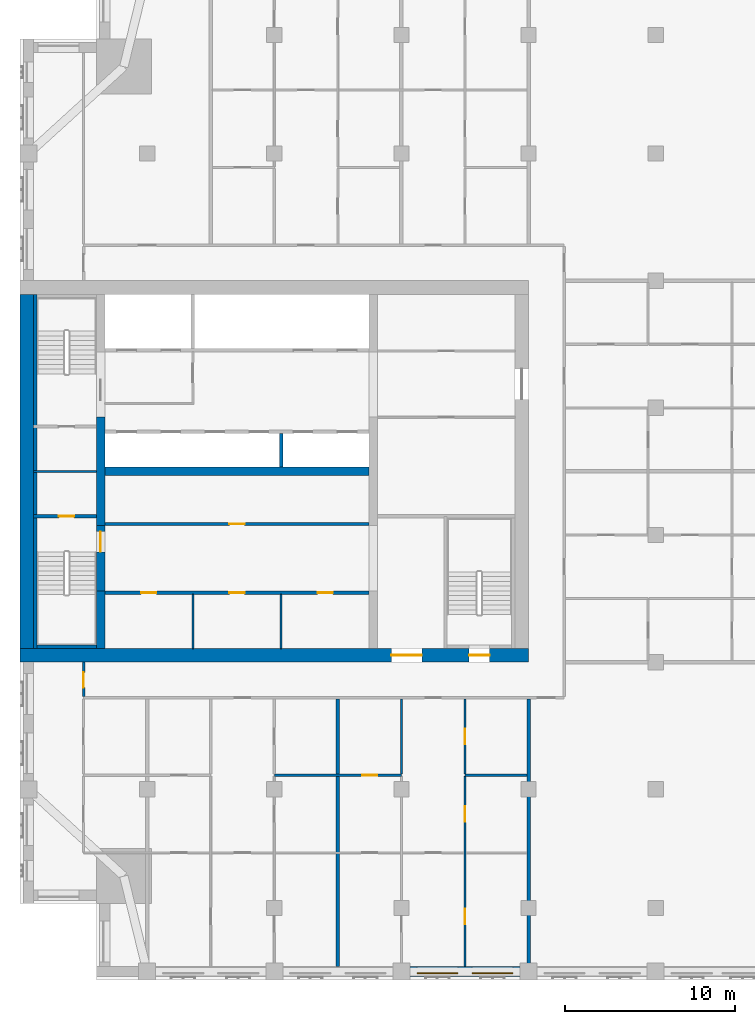
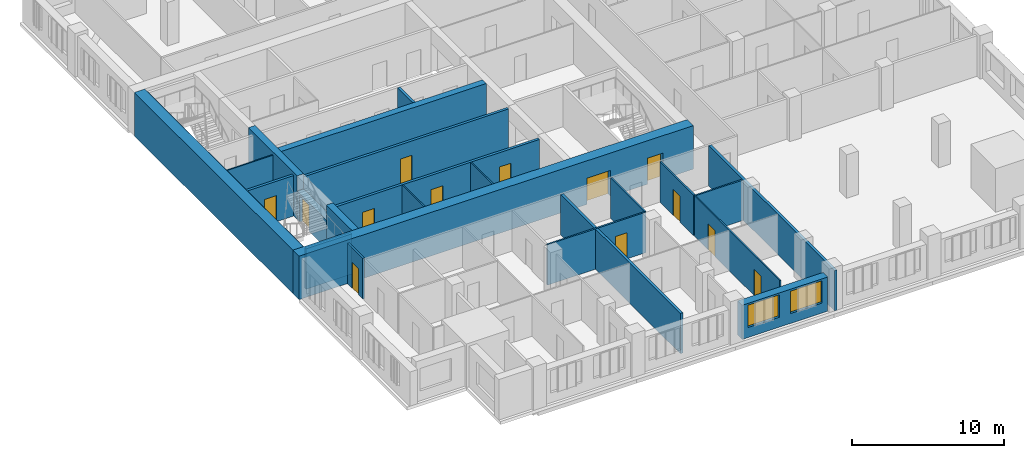
# One storey, part 7 of 14: 24 walls, 13 doors, 2 windows, 15 openings.
"""IFC4 building model written with IfcOpenShell, lengths in metres."""

from ifc_helpers import new_model, si_unit, direction, frame, frame_2d, origin, place, context, subcontext, project, spatial, rectangle, extrude, material, layer, layer_set, type_object, element, fill, save


model = new_model("IFC4")

# Units and contexts
model_context = context("Model", 3, precision=1e-05, world=origin(), true_north=direction((0.0, 1.0)))
body_context = subcontext(model_context, "Body", "Model", "MODEL_VIEW")
ifc_project = project(units=[si_unit("LENGTHUNIT", "METRE"), si_unit("AREAUNIT", "SQUARE_METRE"), si_unit("VOLUMEUNIT", "CUBIC_METRE"), si_unit("PLANEANGLEUNIT", "RADIAN"), si_unit("MASSUNIT", "GRAM", prefix="KILO")], contexts=[model_context])

# Site, building, storey
site_placement = place(None, origin())
site = spatial("IfcSite", under=ifc_project, at=site_placement, CompositionType="ELEMENT")
building_placement = place(site_placement, origin())
building = spatial("IfcBuilding", under=site, at=building_placement, Name="Tamorin Gate", CompositionType="ELEMENT")
storey_placement = place(building_placement, frame((0.0, 0.0, 179.199951171875)))
storey = spatial("IfcBuildingStorey", under=building, at=storey_placement, Name="L43", CompositionType="ELEMENT", Elevation=179.199951171875)

# Wall, openings, windows
ifc_material_1 = material(Name="Precast concrete C40/50", Category="concrete")
ifc_layer_1 = layer(ifc_material_1, 0.60009765625)
ifc_layer_set_1 = layer_set([ifc_layer_1], Name="Precast concrete C40/50")
wall_type_1 = type_object("IfcWallType", Name="Board-marked concrete facade panel 600", PredefinedType="SOLIDWALL", material=ifc_layer_set_1)
wall_1_placement = place(storey_placement, frame((53.0, 41.75, 0.0), z_axis=(0.0, 0.0, 1.0), x_axis=(1.0, 0.0, 0.0)))
wall_1 = element("IfcWall", 1, at=wall_1_placement, inside=storey, type_object=wall_type_1, Name="Facade panel", PredefinedType="SOLIDWALL", context=body_context, shape_type="SweptSolid", body=[
    extrude(rectangle(XDim=6.5, YDim=0.60009765625, at=frame_2d((3.25, 0.0))), origin(), (0.0, 0.0, 1.0), 2.75),
])
opening_1_placement = place(wall_1_placement, frame((0.425048828125, 0.0, 0.800048828125)))
opening_1 = element("IfcOpeningElement", 2, at=opening_1_placement, cuts=wall_1, Name="Opening WN1", PredefinedType="OPENING", context=body_context, shape_type="SweptSolid", body=[
    extrude(rectangle(XDim=2.39990234375, YDim=1.800048828125, at=frame_2d((1.199951171875, 0.89990234375))), frame((0.0, 0.31005859375, 0.0), z_axis=(0.0, -1.0, 0.0), x_axis=(1.0, 0.0, 0.0)), (0.0, 0.0, 1.0), 0.6201171875),
])
opening_2_placement = place(wall_1_placement, frame((3.675048828125, 0.0, 0.800048828125)))
opening_2 = element("IfcOpeningElement", 3, at=opening_2_placement, cuts=wall_1, Name="Opening WN1", PredefinedType="OPENING", context=body_context, shape_type="SweptSolid", body=[
    extrude(rectangle(XDim=2.39990234375, YDim=1.800048828125, at=frame_2d((1.199951171875, 0.89990234375))), frame((0.0, 0.31005859375, 0.0), z_axis=(0.0, -1.0, 0.0), x_axis=(1.0, 0.0, 0.0)), (0.0, 0.0, 1.0), 0.6201171875),
])
ifc_material_2 = material(Name="Clear glass in aluminium frame", Category="aluminium")
window_type = type_object("IfcWindowType", Name="Deep-set window 2400x1800", PartitioningType="SINGLE_PANEL", PredefinedType="WINDOW", material=ifc_material_2)
window_1_placement = place(opening_1_placement, origin())
window_1 = element("IfcWindow", 4, at=window_1_placement, inside=storey, type_object=window_type, Name="Deep-set window", OverallHeight=1.800048828125, OverallWidth=2.39990234375, PartitioningType="SINGLE_PANEL", PredefinedType="WINDOW", context=body_context, shape_type="SweptSolid", body=[
    extrude(rectangle(XDim=2.39990234375, YDim=1.800048828125, at=frame_2d((1.199951171875, 0.89990234375))), frame((0.0, -0.070068359375, 0.0), z_axis=(0.0, -1.0, 0.0), x_axis=(1.0, 0.0, 0.0)), (0.0, 0.0, 1.0), 0.06005859375),
])
fill(opening_1, window_1)
window_2_placement = place(opening_2_placement, origin())
window_2 = element("IfcWindow", 5, at=window_2_placement, inside=storey, type_object=window_type, Name="Deep-set window", OverallHeight=1.800048828125, OverallWidth=2.39990234375, PartitioningType="SINGLE_PANEL", PredefinedType="WINDOW", context=body_context, shape_type="SweptSolid", body=[
    extrude(rectangle(XDim=2.39990234375, YDim=1.800048828125, at=frame_2d((1.199951171875, 0.89990234375))), frame((0.0, -0.070068359375, 0.0), z_axis=(0.0, -1.0, 0.0), x_axis=(1.0, 0.0, 0.0)), (0.0, 0.0, 1.0), 0.06005859375),
])
fill(opening_2, window_2)

# Wall, opening, door
ifc_material_3 = material(Name="Gypsum board partition")
ifc_layer_2 = layer(ifc_material_3, 0.14990234375)
ifc_layer_set_2 = layer_set([ifc_layer_2], Name="Corridor wall 150")
wall_type_2 = type_object("IfcWallType", Name="Corridor wall 150", PredefinedType="PARTITIONING", material=ifc_layer_set_2)
wall_2_placement = place(storey_placement, frame((33.75, 57.97509765625, 0.0), z_axis=(0.0, 0.0, 1.0), x_axis=(0.0, 1.0, 0.0)))
wall_2 = element("IfcWall", 6, at=wall_2_placement, inside=storey, type_object=wall_type_2, Name="Corridor wall 150", PredefinedType="PARTITIONING", context=body_context, shape_type="SweptSolid", body=[
    extrude(rectangle(XDim=2.02490234375, YDim=0.14990234375, at=frame_2d((1.012451171875, 0.0))), origin(), (0.0, 0.0, 1.0), 3.25),
])
opening_3_placement = place(wall_2_placement, frame((0.52490234375, 0.0, 0.0)))
opening_3 = element("IfcOpeningElement", 7, at=opening_3_placement, cuts=wall_2, Name="Opening DR1001", PredefinedType="OPENING", context=body_context, shape_type="SweptSolid", body=[
    extrude(rectangle(XDim=0.89990234375, YDim=2.10009765625, at=frame_2d((0.449951171875, 1.050048828125))), frame((0.0, 0.0849609375, 0.0), z_axis=(0.0, -1.0, 0.0), x_axis=(1.0, 0.0, 0.0)), (0.0, 0.0, 1.0), 0.169921875),
])
ifc_material_4 = material(Name="Timber door leaf", Category="wood")
door_type_1 = type_object("IfcDoorType", Name="Door 900 x 2100 FD30S", OperationType="NOTDEFINED", PredefinedType="DOOR", material=ifc_material_4)
door_1_placement = place(opening_3_placement, origin())
door_1 = element("IfcDoor", 8, at=door_1_placement, inside=storey, type_object=door_type_1, Name="Door DR1001", OperationType="SINGLE_SWING_LEFT", OverallHeight=2.10009765625, OverallWidth=0.89990234375, PredefinedType="DOOR", context=body_context, shape_type="SweptSolid", body=[
    extrude(rectangle(XDim=0.89990234375, YDim=2.10009765625, at=frame_2d((0.449951171875, 1.050048828125))), frame((0.0, 0.02490234375, 0.0), z_axis=(0.0, -1.0, 0.0), x_axis=(1.0, 0.0, 0.0)), (0.0, 0.0, 1.0), 0.050048828125),
])
fill(opening_3, door_1)

# Walls
ifc_layer_3 = layer(ifc_material_3, 0.199951171875)
ifc_layer_set_3 = layer_set([ifc_layer_3], Name="Demising wall 200")
wall_type_3 = type_object("IfcWallType", Name="Demising wall 200", PredefinedType="PARTITIONING", material=ifc_layer_set_3)
wall_3_placement = place(storey_placement, frame((48.75, 42.06005859375, 0.0), z_axis=(0.0, 0.0, 1.0), x_axis=(0.0, 1.0, 0.0)))
element("IfcWall", 9, at=wall_3_placement, inside=storey, type_object=wall_type_3, Name="Demising wall 200", PredefinedType="PARTITIONING", context=body_context, shape_type="SweptSolid", body=[
    extrude(rectangle(XDim=15.764892578125, YDim=0.199951171875, at=frame_2d((7.88232421875, 0.0))), origin(), (0.0, 0.0, 1.0), 3.25),
])
wall_4_placement = place(storey_placement, frame((60.0, 41.25, 0.0), z_axis=(0.0, 0.0, 1.0), x_axis=(0.0, 1.0, 0.0)))
element("IfcWall", 10, at=wall_4_placement, inside=storey, type_object=wall_type_3, Name="Demising wall 200", PredefinedType="PARTITIONING", context=body_context, shape_type="SweptSolid", body=[
    extrude(rectangle(XDim=16.574951171875, YDim=0.199951171875, at=frame_2d((8.28759765625, 0.0))), origin(), (0.0, 0.0, 1.0), 3.25),
])
ifc_material_5 = material(Name="Concrete C32/40", Category="concrete")
ifc_layer_4 = layer(ifc_material_5, 0.199951171875)
ifc_layer_set_4 = layer_set([ifc_layer_4], Name="Lift shaft wall 200 EI 120")
wall_type_4 = type_object("IfcWallType", Name="Lift shaft wall 200 EI 120", PredefinedType="SOLIDWALL", material=ifc_layer_set_4)
wall_5_placement = place(storey_placement, frame((45.39990234375, 71.5, 0.0), z_axis=(0.0, 0.0, 1.0), x_axis=(0.0, 1.0, 0.0)))
element("IfcWall", 11, at=wall_5_placement, inside=storey, type_object=wall_type_4, Name="Lift shaft wall", PredefinedType="SOLIDWALL", context=body_context, shape_type="SweptSolid", body=[
    extrude(rectangle(XDim=2.0, YDim=0.199951171875, at=frame_2d((1.0, 0.0))), origin(), (0.0, 0.0, 1.0), 3.5),
])
ifc_material_6 = material(Name="Concrete C60/75", Category="concrete")
ifc_layer_5 = layer(ifc_material_6, 0.5)
ifc_layer_set_5 = layer_set([ifc_layer_5], Name="RC core internal wall 500 C60/75")
wall_type_5 = type_object("IfcWallType", Name="RC core internal wall 500 C60/75", PredefinedType="SHEAR", material=ifc_layer_set_5)
wall_6_placement = place(storey_placement, frame((35.0, 71.25, 0.0), z_axis=(0.0, 0.0, 1.0), x_axis=(1.0, 0.0, 0.0)))
element("IfcWall", 12, at=wall_6_placement, inside=storey, type_object=wall_type_5, Name="Core spine wall L43", PredefinedType="SHEAR", context=body_context, shape_type="SweptSolid", body=[
    extrude(rectangle(XDim=15.60009765625, YDim=0.5, at=frame_2d((7.800048828125, 0.0))), origin(), (0.0, 0.0, 1.0), 3.5),
])
wall_7_placement = place(storey_placement, frame((34.75, 60.800048828125, 0.0), z_axis=(0.0, 0.0, 1.0), x_axis=(0.0, 1.0, 0.0)))
element("IfcWall", 13, at=wall_7_placement, inside=storey, type_object=wall_type_5, Name="Core cross wall L43", PredefinedType="SHEAR", context=body_context, shape_type="SweptSolid", body=[
    extrude(rectangle(XDim=3.39990234375, YDim=0.5, at=frame_2d((1.699951171875, 0.0))), origin(), (0.0, 0.0, 1.0), 3.5),
])
wall_8_placement = place(storey_placement, frame((34.75, 68.050048828125, 0.0), z_axis=(0.0, 0.0, 1.0), x_axis=(0.0, 1.0, 0.0)))
element("IfcWall", 14, at=wall_8_placement, inside=storey, type_object=wall_type_5, Name="Core cross wall L43", PredefinedType="SHEAR", context=body_context, shape_type="SweptSolid", body=[
    extrude(rectangle(XDim=6.39990234375, YDim=0.5, at=frame_2d((3.199951171875, 0.0))), origin(), (0.0, 0.0, 1.0), 3.5),
])

# Wall, openings, doors
ifc_layer_6 = layer(ifc_material_6, 0.800048828125)
ifc_layer_set_6 = layer_set([ifc_layer_6], Name="RC core wall 800 C60/75")
wall_type_6 = type_object("IfcWallType", Name="RC core wall 800 C60/75", PredefinedType="SHEAR", material=ifc_layer_set_6)
wall_9_placement = place(storey_placement, frame((30.0, 60.39990234375, 0.0), z_axis=(0.0, 0.0, 1.0), x_axis=(1.0, 0.0, 0.0)))
wall_9 = element("IfcWall", 15, at=wall_9_placement, inside=storey, type_object=wall_type_6, Name="Core wall L43", PredefinedType="SHEAR", context=body_context, shape_type="SweptSolid", body=[
    extrude(rectangle(XDim=30.0, YDim=0.800048828125, at=frame_2d((15.0, 0.0))), origin(), (0.0, 0.0, 1.0), 3.5),
])
opening_4_placement = place(wall_9_placement, frame((21.89990234375, 0.0, 0.0)))
opening_4 = element("IfcOpeningElement", 16, at=opening_4_placement, cuts=wall_9, Name="Opening DE1", PredefinedType="OPENING", context=body_context, shape_type="SweptSolid", body=[
    extrude(rectangle(XDim=1.800048828125, YDim=2.10009765625, at=frame_2d((0.89990234375, 1.050048828125))), frame((0.0, 0.409912109375, 0.0), z_axis=(0.0, -1.0, 0.0), x_axis=(1.0, 0.0, 0.0)), (0.0, 0.0, 1.0), 0.820068359375),
])
opening_5_placement = place(wall_9_placement, frame((26.5, 0.0, 0.0)))
opening_5 = element("IfcOpeningElement", 17, at=opening_5_placement, cuts=wall_9, Name="Opening DS1", PredefinedType="OPENING", context=body_context, shape_type="SweptSolid", body=[
    extrude(rectangle(XDim=1.199951171875, YDim=2.10009765625, at=frame_2d((0.60009765625, 1.050048828125))), frame((0.0, 0.409912109375, 0.0), z_axis=(0.0, -1.0, 0.0), x_axis=(1.0, 0.0, 0.0)), (0.0, 0.0, 1.0), 0.820068359375),
])
ifc_material_7 = material(Name="Steel fire door", Category="steel")
door_type_2 = type_object("IfcDoorType", Name="Lobby exit double door 1800 x 2100 EI 60", OperationType="DOUBLE_DOOR_SINGLE_SWING", PredefinedType="DOOR", material=ifc_material_7)
door_2_placement = place(opening_4_placement, origin())
door_2 = element("IfcDoor", 18, at=door_2_placement, inside=storey, type_object=door_type_2, Name="Lift lobby A exit door", OperationType="DOUBLE_DOOR_SINGLE_SWING", OverallHeight=2.10009765625, OverallWidth=1.800048828125, PredefinedType="DOOR", context=body_context, shape_type="SweptSolid", body=[
    extrude(rectangle(XDim=1.800048828125, YDim=2.10009765625, at=frame_2d((0.89990234375, 1.050048828125))), frame((0.0, 0.02490234375, 0.0), z_axis=(0.0, -1.0, 0.0), x_axis=(1.0, 0.0, 0.0)), (0.0, 0.0, 1.0), 0.050048828125),
])
fill(opening_4, door_2)
door_type_3 = type_object("IfcDoorType", Name="Stair door 1200 x 2100 EI 90", OperationType="SINGLE_SWING_LEFT", PredefinedType="DOOR", material=ifc_material_7)
door_3_placement = place(opening_5_placement, origin())
door_3 = element("IfcDoor", 19, at=door_3_placement, inside=storey, type_object=door_type_3, Name="ST3 door", OperationType="SINGLE_SWING_LEFT", OverallHeight=2.10009765625, OverallWidth=1.199951171875, PredefinedType="DOOR", context=body_context, shape_type="SweptSolid", body=[
    extrude(rectangle(XDim=1.199951171875, YDim=2.10009765625, at=frame_2d((0.60009765625, 1.050048828125))), frame((0.0, 0.02490234375, 0.0), z_axis=(0.0, -1.0, 0.0), x_axis=(1.0, 0.0, 0.0)), (0.0, 0.0, 1.0), 0.050048828125),
])
fill(opening_5, door_3)

# Walls
wall_10_placement = place(storey_placement, frame((30.39990234375, 60.800048828125, 0.0), z_axis=(0.0, 0.0, 1.0), x_axis=(0.0, 1.0, 0.0)))
element("IfcWall", 20, at=wall_10_placement, inside=storey, type_object=wall_type_6, Name="Core wall L43", PredefinedType="SHEAR", context=body_context, shape_type="SweptSolid", body=[
    extrude(rectangle(XDim=20.89990234375, YDim=0.800048828125, at=frame_2d((10.449951171875, 0.0))), origin(), (0.0, 0.0, 1.0), 3.5),
])
ifc_material_8 = material(Name="Fire-rated gypsum board partition")
ifc_layer_7 = layer(ifc_material_8, 0.10009765625)
ifc_layer_set_7 = layer_set([ifc_layer_7], Name="Riser partition 100 EI 120")
wall_type_7 = type_object("IfcWallType", Name="Riser partition 100 EI 120", PredefinedType="PARTITIONING", material=ifc_layer_set_7)
wall_11_placement = place(storey_placement, frame((30.800048828125, 71.25, 0.0), z_axis=(0.0, 0.0, 1.0), x_axis=(1.0, 0.0, 0.0)))
element("IfcWall", 21, at=wall_11_placement, inside=storey, type_object=wall_type_7, Name="Riser partition", PredefinedType="PARTITIONING", context=body_context, shape_type="SweptSolid", body=[
    extrude(rectangle(XDim=3.699951171875, YDim=0.10009765625, at=frame_2d((1.85009765625, 0.0))), origin(), (0.0, 0.0, 1.0), 3.25),
])

# Wall, openings, doors
ifc_layer_8 = layer(ifc_material_3, 0.10009765625)
ifc_layer_set_8 = layer_set([ifc_layer_8], Name="Room partition 100")
wall_type_8 = type_object("IfcWallType", Name="Room partition 100", PredefinedType="PARTITIONING", material=ifc_layer_set_8)
wall_12_placement = place(storey_placement, frame((56.25, 42.06005859375, 0.0), z_axis=(0.0, 0.0, 1.0), x_axis=(0.0, 1.0, 0.0)))
wall_12 = element("IfcWall", 22, at=wall_12_placement, inside=storey, type_object=wall_type_8, Name="Room partition 100", PredefinedType="PARTITIONING", context=body_context, shape_type="SweptSolid", body=[
    extrude(rectangle(XDim=11.202392578125, YDim=0.10009765625, at=frame_2d((5.60107421875, 0.0))), origin(), (0.0, 0.0, 1.0), 3.25),
])
opening_6_placement = place(wall_12_placement, frame((8.527587890625, 0.0, 0.0)))
opening_6 = element("IfcOpeningElement", 23, at=opening_6_placement, cuts=wall_12, Name="Opening DR1016", PredefinedType="OPENING", context=body_context, shape_type="SweptSolid", body=[
    extrude(rectangle(XDim=0.89990234375, YDim=2.10009765625, at=frame_2d((0.449951171875, 1.050048828125))), frame((0.0, 0.06005859375, 0.0), z_axis=(0.0, -1.0, 0.0), x_axis=(1.0, 0.0, 0.0)), (0.0, 0.0, 1.0), 0.1201171875),
])
opening_7_placement = place(wall_12_placement, frame((2.489990234375, 0.0, 0.0)))
opening_7 = element("IfcOpeningElement", 24, at=opening_7_placement, cuts=wall_12, Name="Opening DR1019", PredefinedType="OPENING", context=body_context, shape_type="SweptSolid", body=[
    extrude(rectangle(XDim=0.89990234375, YDim=2.10009765625, at=frame_2d((0.449951171875, 1.050048828125))), frame((0.0, 0.06005859375, 0.0), z_axis=(0.0, -1.0, 0.0), x_axis=(1.0, 0.0, 0.0)), (0.0, 0.0, 1.0), 0.1201171875),
])
door_type_4 = type_object("IfcDoorType", Name="Door 900 x 2100", OperationType="NOTDEFINED", PredefinedType="DOOR", material=ifc_material_4)
door_4_placement = place(opening_6_placement, origin())
door_4 = element("IfcDoor", 25, at=door_4_placement, inside=storey, type_object=door_type_4, Name="Door DR1016", OperationType="SINGLE_SWING_RIGHT", OverallHeight=2.10009765625, OverallWidth=0.89990234375, PredefinedType="DOOR", context=body_context, shape_type="SweptSolid", body=[
    extrude(rectangle(XDim=0.89990234375, YDim=2.10009765625, at=frame_2d((0.449951171875, 1.050048828125))), frame((0.0, 0.02490234375, 0.0), z_axis=(0.0, -1.0, 0.0), x_axis=(1.0, 0.0, 0.0)), (0.0, 0.0, 1.0), 0.050048828125),
])
fill(opening_6, door_4)
door_5_placement = place(opening_7_placement, origin())
door_5 = element("IfcDoor", 26, at=door_5_placement, inside=storey, type_object=door_type_4, Name="Door DR1019", OperationType="SINGLE_SWING_LEFT", OverallHeight=2.10009765625, OverallWidth=0.89990234375, PredefinedType="DOOR", context=body_context, shape_type="SweptSolid", body=[
    extrude(rectangle(XDim=0.89990234375, YDim=2.10009765625, at=frame_2d((0.449951171875, 1.050048828125))), frame((0.0, 0.02490234375, 0.0), z_axis=(0.0, -1.0, 0.0), x_axis=(1.0, 0.0, 0.0)), (0.0, 0.0, 1.0), 0.050048828125),
])
fill(opening_7, door_5)

ifc_layer_9 = layer(ifc_material_3, 0.199951171875)
ifc_layer_set_9 = layer_set([ifc_layer_9], Name="Service room face wall 200 EI 60")
wall_type_9 = type_object("IfcWallType", Name="Service room face wall 200 EI 60", PredefinedType="PARTITIONING", material=ifc_layer_set_9)
wall_13_placement = place(storey_placement, frame((35.0, 64.10009765625, 0.0), z_axis=(0.0, 0.0, 1.0), x_axis=(1.0, 0.0, 0.0)))
wall_13 = element("IfcWall", 27, at=wall_13_placement, inside=storey, type_object=wall_type_9, Name="Service room face wall", PredefinedType="PARTITIONING", context=body_context, shape_type="SweptSolid", body=[
    extrude(rectangle(XDim=15.60009765625, YDim=0.199951171875, at=frame_2d((7.800048828125, 0.0))), origin(), (0.0, 0.0, 1.0), 3.25),
])
opening_8_placement = place(wall_13_placement, frame((2.14990234375, 0.0, 0.0)))
opening_8 = element("IfcOpeningElement", 28, at=opening_8_placement, cuts=wall_13, Name="Opening DK1", PredefinedType="OPENING", context=body_context, shape_type="SweptSolid", body=[
    extrude(rectangle(XDim=0.89990234375, YDim=2.10009765625, at=frame_2d((0.449951171875, 1.050048828125))), frame((0.0, 0.10986328125, 0.0), z_axis=(0.0, -1.0, 0.0), x_axis=(1.0, 0.0, 0.0)), (0.0, 0.0, 1.0), 0.219970703125),
])
opening_9_placement = place(wall_13_placement, frame((7.35009765625, 0.0, 0.0)))
opening_9 = element("IfcOpeningElement", 29, at=opening_9_placement, cuts=wall_13, Name="Opening DK1", PredefinedType="OPENING", context=body_context, shape_type="SweptSolid", body=[
    extrude(rectangle(XDim=0.89990234375, YDim=2.10009765625, at=frame_2d((0.449951171875, 1.050048828125))), frame((0.0, 0.10986328125, 0.0), z_axis=(0.0, -1.0, 0.0), x_axis=(1.0, 0.0, 0.0)), (0.0, 0.0, 1.0), 0.219970703125),
])
opening_10_placement = place(wall_13_placement, frame((12.550048828125, 0.0, 0.0)))
opening_10 = element("IfcOpeningElement", 30, at=opening_10_placement, cuts=wall_13, Name="Opening DK1", PredefinedType="OPENING", context=body_context, shape_type="SweptSolid", body=[
    extrude(rectangle(XDim=0.89990234375, YDim=2.10009765625, at=frame_2d((0.449951171875, 1.050048828125))), frame((0.0, 0.10986328125, 0.0), z_axis=(0.0, -1.0, 0.0), x_axis=(1.0, 0.0, 0.0)), (0.0, 0.0, 1.0), 0.219970703125),
])
ifc_material_9 = material(Name="Timber fire door", Category="wood")
door_type_5 = type_object("IfcDoorType", Name="Service room door 900 x 2100 EI 60", OperationType="SINGLE_SWING_LEFT", PredefinedType="DOOR", material=ifc_material_9)
door_6_placement = place(opening_8_placement, origin())
door_6 = element("IfcDoor", 31, at=door_6_placement, inside=storey, type_object=door_type_5, Name="Door Housekeeping store", OperationType="SINGLE_SWING_LEFT", OverallHeight=2.10009765625, OverallWidth=0.89990234375, PredefinedType="DOOR", context=body_context, shape_type="SweptSolid", body=[
    extrude(rectangle(XDim=0.89990234375, YDim=2.10009765625, at=frame_2d((0.449951171875, 1.050048828125))), frame((0.0, 0.02490234375, 0.0), z_axis=(0.0, -1.0, 0.0), x_axis=(1.0, 0.0, 0.0)), (0.0, 0.0, 1.0), 0.050048828125),
])
fill(opening_8, door_6)
door_7_placement = place(opening_9_placement, origin())
door_7 = element("IfcDoor", 32, at=door_7_placement, inside=storey, type_object=door_type_5, Name="Door Parcel and storage room", OperationType="SINGLE_SWING_RIGHT", OverallHeight=2.10009765625, OverallWidth=0.89990234375, PredefinedType="DOOR", context=body_context, shape_type="SweptSolid", body=[
    extrude(rectangle(XDim=0.89990234375, YDim=2.10009765625, at=frame_2d((0.449951171875, 1.050048828125))), frame((0.0, 0.02490234375, 0.0), z_axis=(0.0, -1.0, 0.0), x_axis=(1.0, 0.0, 0.0)), (0.0, 0.0, 1.0), 0.050048828125),
])
fill(opening_9, door_7)
door_8_placement = place(opening_10_placement, origin())
door_8 = element("IfcDoor", 33, at=door_8_placement, inside=storey, type_object=door_type_5, Name="Door Refuse and recycling room", OperationType="SINGLE_SWING_LEFT", OverallHeight=2.10009765625, OverallWidth=0.89990234375, PredefinedType="DOOR", context=body_context, shape_type="SweptSolid", body=[
    extrude(rectangle(XDim=0.89990234375, YDim=2.10009765625, at=frame_2d((0.449951171875, 1.050048828125))), frame((0.0, 0.02490234375, 0.0), z_axis=(0.0, -1.0, 0.0), x_axis=(1.0, 0.0, 0.0)), (0.0, 0.0, 1.0), 0.050048828125),
])
fill(opening_10, door_8)

# Wall, opening, door
wall_14_placement = place(storey_placement, frame((35.0, 68.14990234375, 0.0), z_axis=(0.0, 0.0, 1.0), x_axis=(1.0, 0.0, 0.0)))
wall_14 = element("IfcWall", 34, at=wall_14_placement, inside=storey, type_object=wall_type_9, Name="Service room face wall", PredefinedType="PARTITIONING", context=body_context, shape_type="SweptSolid", body=[
    extrude(rectangle(XDim=15.60009765625, YDim=0.199951171875, at=frame_2d((7.800048828125, 0.0))), origin(), (0.0, 0.0, 1.0), 3.25),
])
opening_11_placement = place(wall_14_placement, frame((7.35009765625, 0.0, 0.0)))
opening_11 = element("IfcOpeningElement", 35, at=opening_11_placement, cuts=wall_14, Name="Opening DK1", PredefinedType="OPENING", context=body_context, shape_type="SweptSolid", body=[
    extrude(rectangle(XDim=0.89990234375, YDim=2.10009765625, at=frame_2d((0.449951171875, 1.050048828125))), frame((0.0, 0.10986328125, 0.0), z_axis=(0.0, -1.0, 0.0), x_axis=(1.0, 0.0, 0.0)), (0.0, 0.0, 1.0), 0.219970703125),
])
door_9_placement = place(opening_11_placement, origin())
door_9 = element("IfcDoor", 36, at=door_9_placement, inside=storey, type_object=door_type_5, Name="Door Housekeeping and maintenance store", OperationType="SINGLE_SWING_LEFT", OverallHeight=2.10009765625, OverallWidth=0.89990234375, PredefinedType="DOOR", context=body_context, shape_type="SweptSolid", body=[
    extrude(rectangle(XDim=0.89990234375, YDim=2.10009765625, at=frame_2d((0.449951171875, 1.050048828125))), frame((0.0, 0.02490234375, 0.0), z_axis=(0.0, -1.0, 0.0), x_axis=(1.0, 0.0, 0.0)), (0.0, 0.0, 1.0), 0.050048828125),
])
fill(opening_11, door_9)

# Walls
ifc_layer_10 = layer(ifc_material_3, 0.10009765625)
ifc_layer_set_10 = layer_set([ifc_layer_10], Name="Service room partition 100 EI 60")
wall_type_10 = type_object("IfcWallType", Name="Service room partition 100 EI 60", PredefinedType="PARTITIONING", material=ifc_layer_set_10)
for number, where, z_axis, x_axis, name in (
    (37, (40.199951171875, 60.800048828125, 0.0), (0.0, 0.0, 1.0), (0.0, 1.0, 0.0), "Service room partition"),
    (38, (45.39990234375, 60.800048828125, 0.0), (0.0, 0.0, 1.0), (0.0, 1.0, 0.0), "Service room partition"),
):
    element("IfcWall", number, at=place(storey_placement, frame(where, z_axis=z_axis, x_axis=x_axis)), inside=storey, type_object=wall_type_10, Name=name, PredefinedType="PARTITIONING", context=body_context, shape_type="SweptSolid", body=[
        extrude(rectangle(XDim=3.199951171875, YDim=0.10009765625, at=frame_2d((1.60009765625, 0.0))), origin(), (0.0, 0.0, 1.0), 3.25),
    ])

# Wall, opening, door
ifc_material_10 = material(Name="Concrete C40/50", Category="concrete")
ifc_layer_11 = layer(ifc_material_10, 0.199951171875)
ifc_layer_set_11 = layer_set([ifc_layer_11], Name="Stair enclosure wall 200 EI 120 C40/50")
wall_type_11 = type_object("IfcWallType", Name="Stair enclosure wall 200 EI 120 C40/50", PredefinedType="SOLIDWALL", material=ifc_layer_set_11)
wall_15_placement = place(storey_placement, frame((30.800048828125, 68.60009765625, 0.0), z_axis=(0.0, 0.0, 1.0), x_axis=(1.0, 0.0, 0.0)))
wall_15 = element("IfcWall", 39, at=wall_15_placement, inside=storey, type_object=wall_type_11, Name="Stair enclosure wall", PredefinedType="SOLIDWALL", context=body_context, shape_type="SweptSolid", body=[
    extrude(rectangle(XDim=3.699951171875, YDim=0.199951171875, at=frame_2d((1.85009765625, 0.0))), origin(), (0.0, 0.0, 1.0), 3.25),
])
opening_12_placement = place(wall_15_placement, frame((1.5, 0.0, 0.0)))
opening_12 = element("IfcOpeningElement", 40, at=opening_12_placement, cuts=wall_15, Name="Opening DR1", PredefinedType="OPENING", context=body_context, shape_type="SweptSolid", body=[
    extrude(rectangle(XDim=0.89990234375, YDim=2.10009765625, at=frame_2d((0.449951171875, 1.050048828125))), frame((0.0, 0.10986328125, 0.0), z_axis=(0.0, -1.0, 0.0), x_axis=(1.0, 0.0, 0.0)), (0.0, 0.0, 1.0), 0.219970703125),
])
door_type_6 = type_object("IfcDoorType", Name="Riser access door 900 x 2100 EI 120", OperationType="SINGLE_SWING_LEFT", PredefinedType="DOOR", material=ifc_material_7)
door_10_placement = place(opening_12_placement, origin())
door_10 = element("IfcDoor", 41, at=door_10_placement, inside=storey, type_object=door_type_6, Name="Electrical riser door", OperationType="SINGLE_SWING_LEFT", OverallHeight=2.10009765625, OverallWidth=0.89990234375, PredefinedType="DOOR", context=body_context, shape_type="SweptSolid", body=[
    extrude(rectangle(XDim=0.89990234375, YDim=2.10009765625, at=frame_2d((0.449951171875, 1.050048828125))), frame((0.0, 0.02490234375, 0.0), z_axis=(0.0, -1.0, 0.0), x_axis=(1.0, 0.0, 0.0)), (0.0, 0.0, 1.0), 0.050048828125),
])
fill(opening_12, door_10)

# Walls
ifc_layer_12 = layer(ifc_material_6, 0.199951171875)
ifc_layer_set_12 = layer_set([ifc_layer_12], Name="Stair lining wall 200 EI 120 C60/75")
wall_type_12 = type_object("IfcWallType", Name="Stair lining wall 200 EI 120 C60/75", PredefinedType="SOLIDWALL", material=ifc_layer_set_12)
wall_16_placement = place(storey_placement, frame((30.89990234375, 60.800048828125, 0.0), z_axis=(0.0, 0.0, 1.0), x_axis=(0.0, 1.0, 0.0)))
element("IfcWall", 42, at=wall_16_placement, inside=storey, type_object=wall_type_12, Name="Stair lining wall", PredefinedType="SOLIDWALL", context=body_context, shape_type="SweptSolid", body=[
    extrude(rectangle(XDim=20.89990234375, YDim=0.199951171875, at=frame_2d((10.449951171875, 0.0))), origin(), (0.0, 0.0, 1.0), 3.25),
])
wall_17_placement = place(storey_placement, frame((31.0, 60.89990234375, 0.0), z_axis=(0.0, 0.0, 1.0), x_axis=(1.0, 0.0, 0.0)))
element("IfcWall", 43, at=wall_17_placement, inside=storey, type_object=wall_type_12, Name="Stair lining wall", PredefinedType="SOLIDWALL", context=body_context, shape_type="SweptSolid", body=[
    extrude(rectangle(XDim=3.5, YDim=0.199951171875, at=frame_2d((1.75, 0.0))), origin(), (0.0, 0.0, 1.0), 3.25),
])

# Wall, opening, door
ifc_layer_13 = layer(ifc_material_5, 0.5)
ifc_layer_set_13 = layer_set([ifc_layer_13], Name="Stair lobby infill wall 500 EI 120")
wall_type_13 = type_object("IfcWallType", Name="Stair lobby infill wall 500 EI 120", PredefinedType="SOLIDWALL", material=ifc_layer_set_13)
wall_18_placement = place(storey_placement, frame((34.75, 64.199951171875, 0.0), z_axis=(0.0, 0.0, 1.0), x_axis=(0.0, 1.0, 0.0)))
wall_18 = element("IfcWall", 44, at=wall_18_placement, inside=storey, type_object=wall_type_13, Name="Stair lobby infill wall", PredefinedType="SOLIDWALL", context=body_context, shape_type="SweptSolid", body=[
    extrude(rectangle(XDim=3.85009765625, YDim=0.5, at=frame_2d((1.925048828125, 0.0))), origin(), (0.0, 0.0, 1.0), 2.300048828125),
])
opening_13_placement = place(wall_18_placement, frame((2.300048828125, 0.0, 0.0)))
opening_13 = element("IfcOpeningElement", 45, at=opening_13_placement, cuts=wall_18, Name="Opening DS1", PredefinedType="OPENING", context=body_context, shape_type="SweptSolid", body=[
    extrude(rectangle(XDim=1.199951171875, YDim=2.10009765625, at=frame_2d((0.60009765625, 1.050048828125))), frame((0.0, 0.260009765625, 0.0), z_axis=(0.0, -1.0, 0.0), x_axis=(1.0, 0.0, 0.0)), (0.0, 0.0, 1.0), 0.52001953125),
])
door_11_placement = place(opening_13_placement, origin())
door_11 = element("IfcDoor", 46, at=door_11_placement, inside=storey, type_object=door_type_3, Name="ST1 door", OperationType="SINGLE_SWING_LEFT", OverallHeight=2.10009765625, OverallWidth=1.199951171875, PredefinedType="DOOR", context=body_context, shape_type="SweptSolid", body=[
    extrude(rectangle(XDim=1.199951171875, YDim=2.10009765625, at=frame_2d((0.60009765625, 1.050048828125))), frame((0.0, 0.02490234375, 0.0), z_axis=(0.0, -1.0, 0.0), x_axis=(1.0, 0.0, 0.0)), (0.0, 0.0, 1.0), 0.050048828125),
])
fill(opening_13, door_11)

ifc_layer_14 = layer(ifc_material_3, 0.125)
ifc_layer_set_14 = layer_set([ifc_layer_14], Name="Wet wall 125")
wall_type_14 = type_object("IfcWallType", Name="Wet wall 125", PredefinedType="PARTITIONING", material=ifc_layer_set_14)
wall_19_placement = place(storey_placement, frame((45.0, 53.324951171875, 0.0), z_axis=(0.0, 0.0, 1.0), x_axis=(1.0, 0.0, 0.0)))
wall_19 = element("IfcWall", 47, at=wall_19_placement, inside=storey, type_object=wall_type_14, Name="Wet wall 125", PredefinedType="PARTITIONING", context=body_context, shape_type="SweptSolid", body=[
    extrude(rectangle(XDim=7.5, YDim=0.125, at=frame_2d((3.75, 0.0))), origin(), (0.0, 0.0, 1.0), 3.25),
])
opening_14_placement = place(wall_19_placement, frame((5.175048828125, 0.0, 0.0)))
opening_14 = element("IfcOpeningElement", 48, at=opening_14_placement, cuts=wall_19, Name="Opening DR1013", PredefinedType="OPENING", context=body_context, shape_type="SweptSolid", body=[
    extrude(rectangle(XDim=0.89990234375, YDim=2.10009765625, at=frame_2d((0.449951171875, 1.050048828125))), frame((0.0, 0.072509765625, 0.0), z_axis=(0.0, -1.0, 0.0), x_axis=(1.0, 0.0, 0.0)), (0.0, 0.0, 1.0), 0.14501953125),
])
door_12_placement = place(opening_14_placement, origin())
door_12 = element("IfcDoor", 49, at=door_12_placement, inside=storey, type_object=door_type_4, Name="Door DR1013", OperationType="SINGLE_SWING_LEFT", OverallHeight=2.10009765625, OverallWidth=0.89990234375, PredefinedType="DOOR", context=body_context, shape_type="SweptSolid", body=[
    extrude(rectangle(XDim=0.89990234375, YDim=2.10009765625, at=frame_2d((0.449951171875, 1.050048828125))), frame((0.0, 0.02490234375, 0.0), z_axis=(0.0, -1.0, 0.0), x_axis=(1.0, 0.0, 0.0)), (0.0, 0.0, 1.0), 0.050048828125),
])
fill(opening_14, door_12)

# Walls
wall_20_placement = place(storey_placement, frame((56.25, 53.324951171875, 0.0), z_axis=(0.0, 0.0, 1.0), x_axis=(1.0, 0.0, 0.0)))
element("IfcWall", 50, at=wall_20_placement, inside=storey, type_object=wall_type_14, Name="Wet wall 125", PredefinedType="PARTITIONING", context=body_context, shape_type="SweptSolid", body=[
    extrude(rectangle(XDim=3.64990234375, YDim=0.125, at=frame_2d((1.824951171875, 0.0))), origin(), (0.0, 0.0, 1.0), 3.25),
])
wall_21_placement = place(storey_placement, frame((52.5, 53.387451171875, 0.0), z_axis=(0.0, 0.0, 1.0), x_axis=(0.0, 1.0, 0.0)))
element("IfcWall", 51, at=wall_21_placement, inside=storey, type_object=wall_type_14, Name="Wet wall 125", PredefinedType="PARTITIONING", context=body_context, shape_type="SweptSolid", body=[
    extrude(rectangle(XDim=4.4375, YDim=0.125, at=frame_2d((2.21875, 0.0))), origin(), (0.0, 0.0, 1.0), 3.25),
])

# Wall, opening, door
wall_22_placement = place(storey_placement, frame((56.25, 53.387451171875, 0.0), z_axis=(0.0, 0.0, 1.0), x_axis=(0.0, 1.0, 0.0)))
wall_22 = element("IfcWall", 52, at=wall_22_placement, inside=storey, type_object=wall_type_14, Name="Wet wall 125", PredefinedType="PARTITIONING", context=body_context, shape_type="SweptSolid", body=[
    extrude(rectangle(XDim=4.4375, YDim=0.125, at=frame_2d((2.21875, 0.0))), origin(), (0.0, 0.0, 1.0), 3.25),
])
opening_15_placement = place(wall_22_placement, frame((1.77490234375, 0.0, 0.0)))
opening_15 = element("IfcOpeningElement", 53, at=opening_15_placement, cuts=wall_22, Name="Opening DR1017", PredefinedType="OPENING", context=body_context, shape_type="SweptSolid", body=[
    extrude(rectangle(XDim=0.89990234375, YDim=2.10009765625, at=frame_2d((0.449951171875, 1.050048828125))), frame((0.0, 0.072509765625, 0.0), z_axis=(0.0, -1.0, 0.0), x_axis=(1.0, 0.0, 0.0)), (0.0, 0.0, 1.0), 0.14501953125),
])
door_13_placement = place(opening_15_placement, origin())
door_13 = element("IfcDoor", 54, at=door_13_placement, inside=storey, type_object=door_type_4, Name="Door DR1017", OperationType="SINGLE_SWING_RIGHT", OverallHeight=2.10009765625, OverallWidth=0.89990234375, PredefinedType="DOOR", context=body_context, shape_type="SweptSolid", body=[
    extrude(rectangle(XDim=0.89990234375, YDim=2.10009765625, at=frame_2d((0.449951171875, 1.050048828125))), frame((0.0, 0.02490234375, 0.0), z_axis=(0.0, -1.0, 0.0), x_axis=(1.0, 0.0, 0.0)), (0.0, 0.0, 1.0), 0.050048828125),
])
fill(opening_15, door_13)

save(model, "model.ifc")
